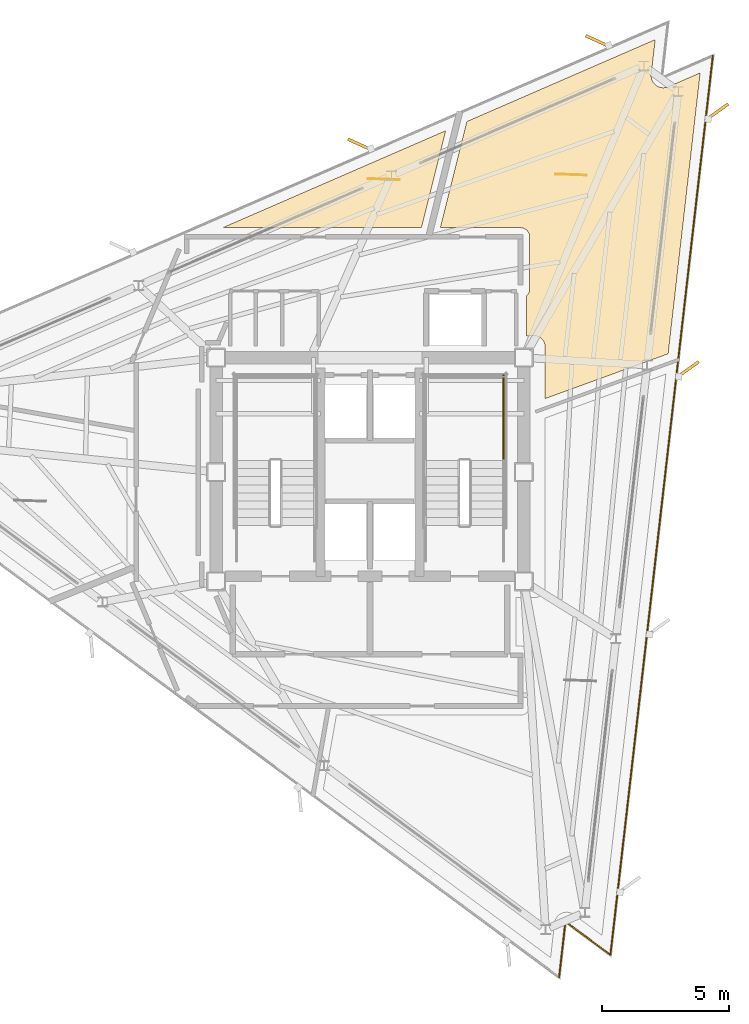
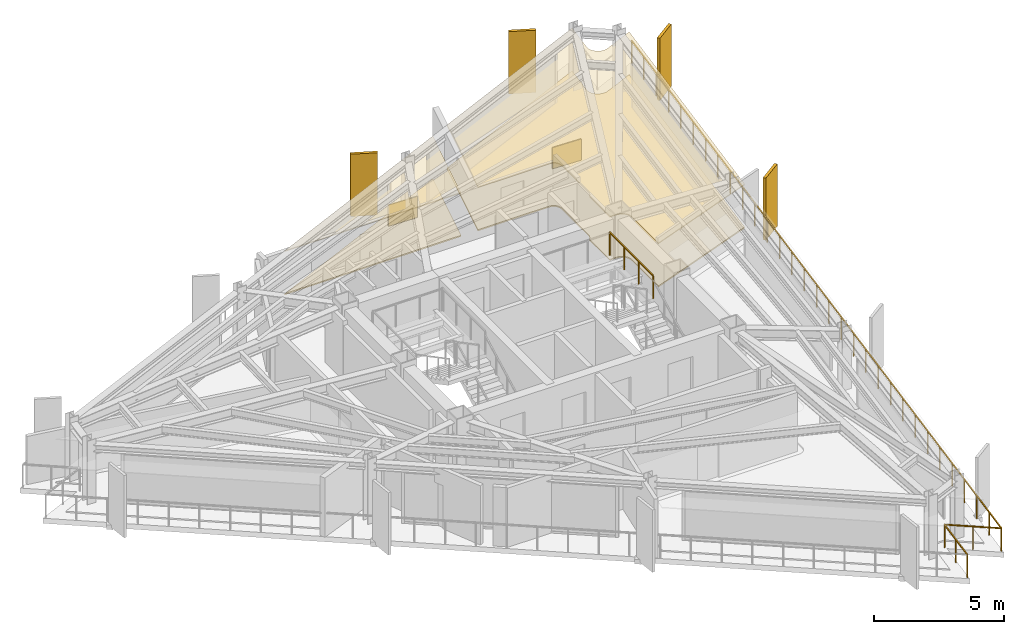
# One storey, part 10 of 10: 6 coverings, 4 shading devices, 2 railings.
"""IFC4 building model written with IfcOpenShell, lengths in metres."""

import ifcopenshell
import ifcopenshell.guid

model = None  # the IFC model being written
_history = None  # IfcOwnerHistory: only IFC2X3 demands one
_inside = {}  # id of a spatial element -> (the spatial element, [elements in it])
_under = {}  # id of a project, library or spatial element -> (it, [spatial elements below it])
_declared = {}  # id of a project -> (the project, [libraries it declares])
_typed = {}  # id of a type object -> (the type object, [elements of that type])
_made_of = {}  # id of a material, layer set ... -> (it, [elements and type objects made of it])


def new_model(schema):
    """Start an empty IFC model of exactly this schema.

    Asked for "IFC4X3", IfcOpenShell would pick the latest addendum, in which some entities
    have other attributes; the version numbers below select the first issue.
    IFC2X3 requires an IfcOwnerHistory on every rooted entity: one is made here for all.
    """
    global model, _history
    if schema == "IFC4X3":
        model = ifcopenshell.file(schema_version=(4, 3, 0, 0))
    else:
        model = ifcopenshell.file(schema=schema)
    _inside.clear()
    _under.clear()
    _declared.clear()
    _typed.clear()
    _made_of.clear()
    _history = None
    if model.schema == "IFC2X3":
        org = make("IfcOrganization", Name="unknown")
        user = make(
            "IfcPersonAndOrganization",
            ThePerson=make("IfcPerson", FamilyName="unknown"),
            TheOrganization=org,
        )
        app = make(
            "IfcApplication",
            ApplicationDeveloper=org,
            Version="unknown",
            ApplicationFullName="unknown",
            ApplicationIdentifier="unknown",
        )
        _history = make(
            "IfcOwnerHistory",
            OwningUser=user,
            OwningApplication=app,
            ChangeAction="ADDED",
            CreationDate=0,
        )
    return model


def make(cls, **values):
    """One entity of the class cls with the attributes given. An attribute that is None is left unset."""
    return model.create_entity(
        cls, **{name: value for name, value in values.items() if value is not None}
    )


def rooted(cls, **values):
    """An entity with a GlobalId (a new one), such as an element, a storey or a relation."""
    return make(cls, GlobalId=ifcopenshell.guid.new(), OwnerHistory=_history, **values)


def si_unit(unit_type, name, prefix=None):
    """IfcSIUnit, for example si_unit("LENGTHUNIT", "METRE", prefix="MILLI")."""
    return make("IfcSIUnit", UnitType=unit_type, Prefix=prefix, Name=name)


def assignment(units):
    """IfcUnitAssignment: the units of a project."""
    return None if units is None else make("IfcUnitAssignment", Units=units)


def point(xyz):
    """IfcCartesianPoint."""
    return None if xyz is None else make("IfcCartesianPoint", Coordinates=xyz)


def direction(xyz):
    """IfcDirection."""
    return None if xyz is None else make("IfcDirection", DirectionRatios=xyz)


def frame(location, z_axis=None, x_axis=None):
    """IfcAxis2Placement3D, a coordinate frame: its origin and axes. An axis left out is left unset."""
    return make(
        "IfcAxis2Placement3D",
        Location=point(location),
        Axis=direction(z_axis),
        RefDirection=direction(x_axis),
    )


def frame_2d(location, x_axis=None):
    """IfcAxis2Placement2D, a coordinate frame in the plane: its origin and x axis."""
    return make(
        "IfcAxis2Placement2D", Location=point(location), RefDirection=direction(x_axis)
    )


def origin():
    """The frame at (0, 0, 0) with its axes left unset."""
    return frame((0.0, 0.0, 0.0))


def origin_2d():
    """The frame at (0, 0) in the plane with its x axis left unset."""
    return frame_2d((0.0, 0.0))


def place(relative_to, where):
    """IfcLocalPlacement: puts the frame where relative to a parent placement (None: the world)."""
    return make(
        "IfcLocalPlacement", PlacementRelTo=relative_to, RelativePlacement=where
    )


def context(
    kind, dimensions, precision=None, world=None, true_north=None, identifier=None
):
    """IfcGeometricRepresentationContext, for example the 3D "Model" context."""
    return make(
        "IfcGeometricRepresentationContext",
        ContextIdentifier=identifier,
        ContextType=kind,
        CoordinateSpaceDimension=dimensions,
        Precision=precision,
        WorldCoordinateSystem=world,
        TrueNorth=true_north,
    )


def subcontext(parent, identifier, kind, view, scale=None):
    """IfcGeometricRepresentationSubContext, for example "Body" below "Model"."""
    return make(
        "IfcGeometricRepresentationSubContext",
        ContextIdentifier=identifier,
        ContextType=kind,
        ParentContext=parent,
        TargetScale=scale,
        TargetView=view,
    )


def project(units=None, contexts=None):
    """IfcProject with its units and contexts."""
    return rooted(
        "IfcProject",
        Name="project",
        RepresentationContexts=contexts,
        UnitsInContext=assignment(units),
    )


def spatial(cls, under=None, at=None, **own):
    """A site, building, storey or space (cls), placed at a placement, below another one or the project."""
    s = rooted(cls, ObjectPlacement=at, **own)
    if under is not None:
        _under.setdefault(under.id(), (under, []))[1].append(s)
    return s


def polyline(points):
    """IfcPolyline through the points."""
    return make("IfcPolyline", Points=[point(p) for p in points])


def profile(cls, at=None, kind="AREA", **sizes):
    """A parametric profile (cls). Its sizes go by their IFC names, for example OverallWidth=200.0."""
    return make(cls, ProfileType=kind, Position=at, **sizes)


def rectangle(**sizes):
    """IfcRectangleProfileDef."""
    return profile("IfcRectangleProfileDef", **sizes)


def outline(outer, holes=None, kind="AREA"):
    """IfcArbitraryClosedProfileDef: a profile drawn as a closed curve; with holes, ...WithVoids."""
    if holes is None:
        return make("IfcArbitraryClosedProfileDef", ProfileType=kind, OuterCurve=outer)
    return make(
        "IfcArbitraryProfileDefWithVoids",
        ProfileType=kind,
        OuterCurve=outer,
        InnerCurves=holes,
    )


def extrude(swept, where, along, depth):
    """IfcExtrudedAreaSolid: the profile swept, set in the frame where, extruded along a direction by depth."""
    return make(
        "IfcExtrudedAreaSolid",
        SweptArea=swept,
        Position=where,
        ExtrudedDirection=direction(along),
        Depth=depth,
    )


def shape(context_of_items, identifier, shape_type, items):
    """IfcShapeRepresentation: the items that make up one representation, for example the "Body"."""
    return make(
        "IfcShapeRepresentation",
        ContextOfItems=context_of_items,
        RepresentationIdentifier=identifier,
        RepresentationType=shape_type,
        Items=items,
    )


def material(Name=None, Category=None):
    """IfcMaterial."""
    return make("IfcMaterial", Name=Name, Category=Category)


def layer(
    of_material, thickness, ventilated=None, Name=None, Category=None, Priority=None
):
    """IfcMaterialLayer: one layer of a wall or slab, of a material (None: an air gap)."""
    return make(
        "IfcMaterialLayer",
        Material=of_material,
        LayerThickness=thickness,
        IsVentilated=ventilated,
        Name=Name,
        Category=Category,
        Priority=Priority,
    )


def layer_set(layers, Name=None):
    """IfcMaterialLayerSet."""
    return make("IfcMaterialLayerSet", MaterialLayers=layers, LayerSetName=Name)


def made_of(thing, what):
    """Note that an element or type object is made of a material, layer set ...; save() writes the relation."""
    if what is not None:
        _made_of.setdefault(what.id(), (what, []))[1].append(thing)
    return thing


def type_object(cls, material=None, **own):
    """A type object (cls), such as IfcWallType, which elements share."""
    return made_of(rooted(cls, **own), material)


def element(
    cls,
    number,
    at=None,
    inside=None,
    cuts=None,
    type_object=None,
    material=None,
    context=None,
    identifier="Body",
    shape_type=None,
    held_by="IfcProductDefinitionShape",
    body=None,
    shapes=None,
    **own,
):
    """One element of the class cls, such as IfcWall. Its Tag is "e" and its number.

    at: its placement. inside: the storey or other place that contains it. cuts: it is an
    opening in that element (IfcRelVoidsElement). A single representation is given by context,
    identifier, shape_type and body (its items); several are given by shapes. held_by: the class
    of the entity that holds the representations. save() writes the other relations.
    """
    e = rooted(cls, Tag="e%d" % number, ObjectPlacement=at, **own)
    if body is not None:
        shapes = [shape(context, identifier, shape_type, body)]
    if shapes is not None:
        e.Representation = make(held_by, Representations=shapes)
    if inside is not None:
        _inside.setdefault(inside.id(), (inside, []))[1].append(e)
    if cuts is not None:
        rooted(
            "IfcRelVoidsElement", RelatingBuildingElement=cuts, RelatedOpeningElement=e
        )
    if type_object is not None:
        _typed.setdefault(type_object.id(), (type_object, []))[1].append(e)
    return made_of(e, material)


def aggregate(whole, parts):
    """IfcRelAggregates: a whole, such as a stair, and the parts it consists of."""
    return rooted("IfcRelAggregates", RelatingObject=whole, RelatedObjects=parts)


def save(model, path):
    """Write the relations noted so far, then the file.

    IfcRelAggregates (storeys below a building ...), IfcRelContainedInSpatialStructure (elements
    in a storey), IfcRelDefinesByType, IfcRelAssociatesMaterial and IfcRelDeclares: one each for
    every whole, place, type object, material and project.
    """
    for whole, parts in _under.values():
        aggregate(whole, parts)
    for where, things in _inside.values():
        rooted(
            "IfcRelContainedInSpatialStructure",
            RelatedElements=things,
            RelatingStructure=where,
        )
    for kind, things in _typed.values():
        rooted("IfcRelDefinesByType", RelatedObjects=things, RelatingType=kind)
    for what, things in _made_of.values():
        rooted("IfcRelAssociatesMaterial", RelatedObjects=things, RelatingMaterial=what)
    for by, libraries in _declared.values():
        rooted("IfcRelDeclares", RelatingContext=by, RelatedDefinitions=libraries)
    model.write(path)


model = new_model("IFC4")

# Units and contexts
model_context = context("Model", 3, precision=1e-05, world=origin(), true_north=direction((0.0, 1.0)))
body_context = subcontext(model_context, "Body", "Model", "MODEL_VIEW")
ifc_project = project(units=[si_unit("LENGTHUNIT", "METRE"), si_unit("AREAUNIT", "SQUARE_METRE"), si_unit("VOLUMEUNIT", "CUBIC_METRE"), si_unit("PLANEANGLEUNIT", "RADIAN"), si_unit("MASSUNIT", "GRAM", prefix="KILO")], contexts=[model_context])

# Site, building, storey
site_placement = place(None, origin())
site = spatial("IfcSite", under=ifc_project, at=site_placement, CompositionType="ELEMENT")
building_placement = place(site_placement, origin())
building = spatial("IfcBuilding", under=site, at=building_placement, Name="Rocaltana Carrier Exchange", CompositionType="ELEMENT")
storey_placement = place(building_placement, frame((0.0, 0.0, 217.919921875)))
storey = spatial("IfcBuildingStorey", under=building, at=storey_placement, Name="L69", CompositionType="ELEMENT", Elevation=217.919921875)

# Coverings
ifc_material_1 = material(Name="Calcium Sulphate & Aluminium Pedestal", Category="aluminium")
ifc_layer_1 = layer(ifc_material_1, 0.06005859375)
ifc_layer_set_1 = layer_set([ifc_layer_1], Name="Calcium Sulphate & Aluminium Pedestal")
covering_type_1 = type_object("IfcCoveringType", Name="Anti-Static Raised Exchange Access Floor 60", PredefinedType="FLOORING", material=ifc_layer_set_1)
covering_1_placement = place(storey_placement, origin())
element("IfcCovering", 1, at=covering_1_placement, inside=storey, type_object=covering_type_1, Name="L69 Protocol Calibration Laboratory Finish Floor", PredefinedType="FLOORING", context=body_context, shape_type="SweptSolid", body=[
    extrude(outline(polyline([(6.159912109375, 6.931884765625), (6.16455078125, 6.93603515625), (6.18408203125, 6.955322265625), (6.189208984375, 6.961181640625), (6.206787109375, 6.982421875), (6.21142578125, 6.98876953125), (6.226806640625, 7.01171875), (6.230712890625, 7.018310546875), (6.24365234375, 7.04248046875), (6.2470703125, 7.0498046875), (6.257568359375, 7.0751953125), (6.26025390625, 7.08251953125), (6.268310546875, 7.108642578125), (6.27001953125, 7.116455078125), (6.275390625, 7.143310546875), (6.276611328125, 7.151123046875), (6.279296875, 7.178466796875), (6.27978515625, 7.186279296875), (6.280029296875, 7.199951171875), (6.280029296875, 9.25), (6.27978515625, 9.263671875), (6.279296875, 9.271484375), (6.276611328125, 9.298828125), (6.275390625, 9.306640625), (6.27001953125, 9.33349609375), (6.268310546875, 9.34130859375), (6.26025390625, 9.36767578125), (6.257568359375, 9.375), (6.2470703125, 9.400390625), (6.24365234375, 9.407470703125), (6.230712890625, 9.431640625), (6.226806640625, 9.4384765625), (6.21142578125, 9.461181640625), (6.206787109375, 9.467529296875), (6.189208984375, 9.48876953125), (6.18408203125, 9.49462890625), (6.16455078125, 9.513916015625), (6.15869140625, 9.519287109375), (6.137451171875, 9.53662109375), (6.131103515625, 9.54150390625), (6.1083984375, 9.556640625), (6.101806640625, 9.560791015625), (6.077392578125, 9.57373046875), (6.0703125, 9.576904296875), (6.044921875, 9.58740234375), (6.03759765625, 9.590087890625), (6.01123046875, 9.59814453125), (6.003662109375, 9.60009765625), (5.976806640625, 9.60546875), (5.968994140625, 9.606689453125), (5.941650390625, 9.609375), (5.93359375, 9.609619140625), (5.919921875, 9.610107421875), (2.76708984375, 9.610107421875), (3.80859375, 13.786865234375), (11.217041015625, 17.00830078125), (11.06201171875, 15.648193359375), (11.060791015625, 15.634521484375), (11.0595703125, 15.614501953125), (11.05908203125, 15.586669921875), (11.059814453125, 15.566650390625), (11.062255859375, 15.538818359375), (11.06494140625, 15.51904296875), (11.070068359375, 15.49169921875), (11.07470703125, 15.472412109375), (11.08251953125, 15.445556640625), (11.089111328125, 15.4267578125), (11.099609375, 15.40087890625), (11.10791015625, 15.3828125), (11.12109375, 15.358154296875), (11.131103515625, 15.3408203125), (11.146484375, 15.317626953125), (11.158447265625, 15.301513671875), (11.176025390625, 15.27978515625), (11.189453125, 15.26513671875), (11.209228515625, 15.245361328125), (11.223876953125, 15.23193359375), (11.24560546875, 15.21435546875), (11.261474609375, 15.202392578125), (11.284912109375, 15.18701171875), (11.302001953125, 15.1767578125), (11.32666015625, 15.163818359375), (11.344482421875, 15.1552734375), (11.37060546875, 15.144775390625), (11.389404296875, 15.13818359375), (11.416015625, 15.130126953125), (11.435302734375, 15.12548828125), (11.462890625, 15.1201171875), (11.482666015625, 15.117431640625), (11.510498046875, 15.114990234375), (11.5302734375, 15.1142578125), (11.55810546875, 15.114501953125), (11.578125, 15.11572265625), (11.60595703125, 15.118896484375), (11.62548828125, 15.1220703125), (11.65283203125, 15.1279296875), (11.672119140625, 15.133056640625), (11.69873046875, 15.1416015625), (11.71728515625, 15.148681640625), (11.730224609375, 15.15380859375), (12.985595703125, 15.699462890625), (11.726806640625, 4.6513671875), (6.889892578125, 2.890869140625), (6.889892578125, 4.919921875), (6.8896484375, 4.93359375), (6.888916015625, 4.949462890625), (6.88623046875, 4.976806640625), (6.8837890625, 4.9921875), (6.87841796875, 5.019287109375), (6.874755859375, 5.034423828125), (6.86669921875, 5.060791015625), (6.861572265625, 5.07568359375), (6.850830078125, 5.100830078125), (6.84423828125, 5.114990234375), (6.831298828125, 5.139404296875), (6.8232421875, 5.15283203125), (6.807861328125, 5.17578125), (6.798583984375, 5.188232421875), (6.781005859375, 5.20947265625), (6.7705078125, 5.22119140625), (6.751220703125, 5.240478515625), (6.739501953125, 5.251220703125), (6.71826171875, 5.2685546875), (6.705810546875, 5.27783203125), (6.682861328125, 5.293212890625), (6.66943359375, 5.30126953125), (6.64501953125, 5.314208984375), (6.630859375, 5.32080078125), (6.605712890625, 5.33154296875), (6.5908203125, 5.336669921875), (6.564453125, 5.3447265625), (6.54931640625, 5.348388671875), (6.522216796875, 5.35400390625), (6.5068359375, 5.356201171875), (6.4794921875, 5.35888671875), (6.463623046875, 5.359619140625), (6.449951171875, 5.360107421875), (6.159912109375, 5.360107421875), (6.159912109375, 6.931884765625)])), origin(), (0.0, 0.0, 1.0), 0.06005859375),
])
covering_2_placement = place(storey_placement, origin())
element("IfcCovering", 2, at=covering_2_placement, inside=storey, type_object=covering_type_1, Name="L69 Network Engineering Studio Finish Floor", PredefinedType="FLOORING", context=body_context, shape_type="SweptSolid", body=[
    extrude(outline(polyline([(-5.797607421875, 9.610107421875), (2.976318359375, 13.425048828125), (2.02490234375, 9.610107421875), (-5.797607421875, 9.610107421875)])), origin(), (0.0, 0.0, 1.0), 0.06005859375),
])
ifc_material_2 = material(Name="Mineral Fibre & Powder-Coated Aluminium", Category="aluminium")
ifc_layer_2 = layer(ifc_material_2, 0.044921875)
ifc_layer_set_2 = layer_set([ifc_layer_2], Name="Mineral Fibre & Powder-Coated Aluminium")
covering_type_2 = type_object("IfcCoveringType", Name="Micro-Perforated Acoustic Ceiling 45", PredefinedType="CEILING", material=ifc_layer_set_2)
covering_3_placement = place(storey_placement, frame((0.0, 0.0, 2.023193359375)))
element("IfcCovering", 3, at=covering_3_placement, inside=storey, type_object=covering_type_2, Name="L69 Protocol Calibration Laboratory Acoustic Ceiling", PredefinedType="CEILING", context=body_context, shape_type="SweptSolid", body=[
    extrude(outline(polyline([(6.159912109375, 6.931884765625), (6.16455078125, 6.93603515625), (6.18408203125, 6.955322265625), (6.189208984375, 6.961181640625), (6.206787109375, 6.982421875), (6.21142578125, 6.98876953125), (6.226806640625, 7.01171875), (6.230712890625, 7.018310546875), (6.24365234375, 7.04248046875), (6.2470703125, 7.0498046875), (6.257568359375, 7.0751953125), (6.26025390625, 7.08251953125), (6.268310546875, 7.108642578125), (6.27001953125, 7.116455078125), (6.275390625, 7.143310546875), (6.276611328125, 7.151123046875), (6.279296875, 7.178466796875), (6.27978515625, 7.186279296875), (6.280029296875, 7.199951171875), (6.280029296875, 9.25), (6.27978515625, 9.263671875), (6.279296875, 9.271484375), (6.276611328125, 9.298828125), (6.275390625, 9.306640625), (6.27001953125, 9.33349609375), (6.268310546875, 9.34130859375), (6.26025390625, 9.36767578125), (6.257568359375, 9.375), (6.2470703125, 9.400390625), (6.24365234375, 9.407470703125), (6.230712890625, 9.431640625), (6.226806640625, 9.4384765625), (6.21142578125, 9.461181640625), (6.206787109375, 9.467529296875), (6.189208984375, 9.48876953125), (6.18408203125, 9.49462890625), (6.16455078125, 9.513916015625), (6.15869140625, 9.519287109375), (6.137451171875, 9.53662109375), (6.131103515625, 9.54150390625), (6.1083984375, 9.556640625), (6.101806640625, 9.560791015625), (6.077392578125, 9.57373046875), (6.0703125, 9.576904296875), (6.044921875, 9.58740234375), (6.03759765625, 9.590087890625), (6.01123046875, 9.59814453125), (6.003662109375, 9.60009765625), (5.976806640625, 9.60546875), (5.968994140625, 9.606689453125), (5.941650390625, 9.609375), (5.93359375, 9.609619140625), (5.919921875, 9.610107421875), (2.76708984375, 9.610107421875), (3.80859375, 13.786865234375), (11.217041015625, 17.00830078125), (11.06201171875, 15.648193359375), (11.060791015625, 15.634521484375), (11.0595703125, 15.614501953125), (11.05908203125, 15.586669921875), (11.059814453125, 15.566650390625), (11.062255859375, 15.538818359375), (11.06494140625, 15.51904296875), (11.070068359375, 15.49169921875), (11.07470703125, 15.472412109375), (11.08251953125, 15.445556640625), (11.089111328125, 15.4267578125), (11.099609375, 15.40087890625), (11.10791015625, 15.3828125), (11.12109375, 15.358154296875), (11.131103515625, 15.3408203125), (11.146484375, 15.317626953125), (11.158447265625, 15.301513671875), (11.176025390625, 15.27978515625), (11.189453125, 15.26513671875), (11.209228515625, 15.245361328125), (11.223876953125, 15.23193359375), (11.24560546875, 15.21435546875), (11.261474609375, 15.202392578125), (11.284912109375, 15.18701171875), (11.302001953125, 15.1767578125), (11.32666015625, 15.163818359375), (11.344482421875, 15.1552734375), (11.37060546875, 15.144775390625), (11.389404296875, 15.13818359375), (11.416015625, 15.130126953125), (11.435302734375, 15.12548828125), (11.462890625, 15.1201171875), (11.482666015625, 15.117431640625), (11.510498046875, 15.114990234375), (11.5302734375, 15.1142578125), (11.55810546875, 15.114501953125), (11.578125, 15.11572265625), (11.60595703125, 15.118896484375), (11.62548828125, 15.1220703125), (11.65283203125, 15.1279296875), (11.672119140625, 15.133056640625), (11.69873046875, 15.1416015625), (11.71728515625, 15.148681640625), (11.730224609375, 15.15380859375), (12.985595703125, 15.699462890625), (11.726806640625, 4.6513671875), (6.889892578125, 2.890869140625), (6.889892578125, 4.919921875), (6.8896484375, 4.93359375), (6.888916015625, 4.949462890625), (6.88623046875, 4.976806640625), (6.8837890625, 4.9921875), (6.87841796875, 5.019287109375), (6.874755859375, 5.034423828125), (6.86669921875, 5.060791015625), (6.861572265625, 5.07568359375), (6.850830078125, 5.100830078125), (6.84423828125, 5.114990234375), (6.831298828125, 5.139404296875), (6.8232421875, 5.15283203125), (6.807861328125, 5.17578125), (6.798583984375, 5.188232421875), (6.781005859375, 5.20947265625), (6.7705078125, 5.22119140625), (6.751220703125, 5.240478515625), (6.739501953125, 5.251220703125), (6.71826171875, 5.2685546875), (6.705810546875, 5.27783203125), (6.682861328125, 5.293212890625), (6.66943359375, 5.30126953125), (6.64501953125, 5.314208984375), (6.630859375, 5.32080078125), (6.605712890625, 5.33154296875), (6.5908203125, 5.336669921875), (6.564453125, 5.3447265625), (6.54931640625, 5.348388671875), (6.522216796875, 5.35400390625), (6.5068359375, 5.356201171875), (6.4794921875, 5.35888671875), (6.463623046875, 5.359619140625), (6.449951171875, 5.360107421875), (6.159912109375, 5.360107421875), (6.159912109375, 6.931884765625)])), origin(), (0.0, 0.0, 1.0), 0.044921875),
])
covering_4_placement = place(storey_placement, frame((0.0, 0.0, 2.023193359375)))
element("IfcCovering", 4, at=covering_4_placement, inside=storey, type_object=covering_type_2, Name="L69 Network Engineering Studio Acoustic Ceiling", PredefinedType="CEILING", context=body_context, shape_type="SweptSolid", body=[
    extrude(outline(polyline([(-5.797607421875, 9.610107421875), (2.976318359375, 13.425048828125), (2.02490234375, 9.610107421875), (-5.797607421875, 9.610107421875)])), origin(), (0.0, 0.0, 1.0), 0.044921875),
])

# Railing
ifc_material_3 = material(Name="Powder-Coated Aluminium 6063-T6", Category="aluminium")
ifc_layer_3 = layer(ifc_material_3, 0.048095703125)
ifc_layer_set_3 = layer_set([ifc_layer_3], Name="Powder-Coated Aluminium 6063-T6")
railing_type_1 = type_object("IfcRailingType", Name="Stair Well Guardrail 1100", PredefinedType="GUARDRAIL", material=ifc_layer_set_3)
railing_1_placement = place(storey_placement, frame((5.25, 0.4599609375, 1.52001953125)))
element("IfcRailing", 5, at=railing_1_placement, inside=storey, type_object=railing_type_1, Name="L69 ST-2 stair guard 3", PredefinedType="GUARDRAIL", context=body_context, shape_type="SweptSolid", body=[
    extrude(rectangle(XDim=0.048095703125, YDim=0.048095703125, at=origin_2d()), frame((0.0, 0.0, 1.076171875), z_axis=(0.0, 1.0, 0.0), x_axis=(-1.0, 0.0, 0.0)), (0.0, 0.0, 1.0), 3.340087890625),
    extrude(rectangle(XDim=0.0419921875, YDim=0.0419921875, at=origin_2d()), origin(), (0.0, 0.0, 1.0), 1.052001953125),
    extrude(rectangle(XDim=0.0419921875, YDim=0.0419921875, at=origin_2d()), frame((0.0, 1.11328125, 0.0)), (0.0, 0.0, 1.0), 1.052001953125),
    extrude(rectangle(XDim=0.0419921875, YDim=0.0419921875, at=origin_2d()), frame((0.0, 2.226806640625, 0.0)), (0.0, 0.0, 1.0), 1.052001953125),
    extrude(rectangle(XDim=0.0419921875, YDim=0.0419921875, at=origin_2d()), frame((0.0, 3.340087890625, 0.0)), (0.0, 0.0, 1.0), 1.052001953125),
])

# Coverings
ifc_material_4 = material(Name="Honed Piedra Muneca Sandstone", Category="masonry")
ifc_layer_4 = layer(ifc_material_4, 0.034912109375)
ifc_layer_set_4 = layer_set([ifc_layer_4], Name="Honed Piedra Muneca Sandstone")
covering_type_3 = type_object("IfcCoveringType", Name="Stone Facade Cladding 35", PredefinedType="CLADDING", material=ifc_layer_set_4)
for number, where, z_axis, x_axis, name in (
    (6, (7.90869140625, 11.698486328125, 0.0), (0.0, 0.0, 1.0), (-0.999390827019, 0.034899496703, 0.0), "L69 Stone Facade Cladding Panel 5"),
    (7, (0.544921875, 11.517578125, 0.0), (0.0, 0.0, 1.0), (-0.999390827019, 0.034899496703, 0.0), "L69 Stone Facade Cladding Panel 6"),
):
    element("IfcCovering", number, at=place(storey_placement, frame(where, z_axis=z_axis, x_axis=x_axis)), inside=storey, type_object=covering_type_3, Name=name, PredefinedType="CLADDING", context=body_context, shape_type="SweptSolid", body=[
        extrude(rectangle(XDim=1.25, YDim=0.034912109375, at=origin_2d()), origin(), (0.0, 0.0, 1.0), 1.050048828125),
    ])

# Shading devices
ifc_material_5 = material(Name="Honed Bogota Sandstone & Concrete C45/55", Category="masonry")
ifc_layer_5 = layer(ifc_material_5, 0.1201171875)
ifc_layer_set_5 = layer_set([ifc_layer_5], Name="Honed Bogota Sandstone & Concrete C45/55")
shading_device_type = type_object("IfcShadingDeviceType", Name="Upper Sandstone Shading Fin 1050x120", PredefinedType="USERDEFINED", material=ifc_layer_set_5)
for number, where, z_axis, x_axis, name in (
    (8, (12.502197265625, 4.03515625, -0.119873046875), (0.0, 0.0, 1.0), (0.814115518356, 0.580702955711, 0.0), "L69 Sandstone Vertical Fin F1-03"),
    (9, (13.656982421875, 14.169677734375, -0.119873046875), (0.0, 0.0, 1.0), (0.814115518356, 0.580702955711, 0.0), "L69 Sandstone Vertical Fin F1-04"),
    (10, (8.96240234375, 16.944091796875, -0.119873046875), (0.0, 0.0, 1.0), (-0.909961270877, 0.414693242656, 0.0), "L69 Sandstone Vertical Fin F2-01"),
    (11, (-0.3916015625, 12.876953125, -0.119873046875), (0.0, 0.0, 1.0), (-0.909961270877, 0.414693242656, 0.0), "L69 Sandstone Vertical Fin F2-02"),
):
    element("IfcShadingDevice", number, at=place(storey_placement, frame(where, z_axis=z_axis, x_axis=x_axis)), inside=storey, type_object=shading_device_type, Name=name, ObjectType="FIN", PredefinedType="USERDEFINED", context=body_context, shape_type="SweptSolid", body=[
        extrude(rectangle(XDim=1.050048828125, YDim=0.1201171875, at=origin_2d()), origin(), (0.0, 0.0, 1.0), 2.91796875),
    ])

# Railing
ifc_material_6 = material(Name="Powder-Coated Aluminium 6063-T6", Category="aluminium")
ifc_layer_6 = layer(ifc_material_6, 0.06005859375)
ifc_layer_set_6 = layer_set([ifc_layer_6], Name="Powder-Coated Aluminium 6063-T6")
railing_type_2 = type_object("IfcRailingType", Name="Wind-Floor & Terrace Perimeter Guardrail 1100", PredefinedType="GUARDRAIL", material=ifc_layer_set_6)
railing_2_placement = place(storey_placement, frame((13.485107421875, 16.374755859375, 0.0)))
element("IfcRailing", 12, at=railing_2_placement, inside=storey, type_object=railing_type_2, Name="L69 Perimeter Balcony Guardrail 3", PredefinedType="GUARDRAIL", context=body_context, shape_type="SweptSolid", body=[
    extrude(rectangle(XDim=0.048095703125, YDim=0.048095703125, at=origin_2d()), frame((0.0, 0.0, 1.076171875), z_axis=(-0.113200877656, -0.99357212184, 0.0), x_axis=(0.99357212184, -0.113200877656, 0.0)), (0.0, 0.0, 1.0), 35.592041015625),
    extrude(rectangle(XDim=0.048095703125, YDim=0.048095703125, at=origin_2d()), frame((-4.029052734375, -35.36328125, 1.076171875), z_axis=(-0.803871612758, 0.59480284986, 0.0), x_axis=(-0.59480284986, -0.803871612758, 0.0)), (0.0, 0.0, 1.0), 2.199951171875),
    extrude(rectangle(XDim=0.048095703125, YDim=0.048095703125, at=origin_2d()), frame((-5.797607421875, -34.0546875, 1.076171875), z_axis=(-0.113183557839, -0.99357409499, 0.0), x_axis=(0.99357409499, -0.113183557839, 0.0)), (0.0, 0.0, 1.0), 2.2001953125),
    extrude(rectangle(XDim=0.0419921875, YDim=0.0419921875, at=origin_2d()), origin(), (0.0, 0.0, 1.0), 1.052001953125),
    extrude(rectangle(XDim=0.0419921875, YDim=0.0419921875, at=origin_2d()), frame((-0.13427734375, -1.1787109375, 0.0)), (0.0, 0.0, 1.0), 1.052001953125),
    extrude(rectangle(XDim=0.0419921875, YDim=0.0419921875, at=origin_2d()), frame((-0.2685546875, -2.357666015625, 0.0)), (0.0, 0.0, 1.0), 1.052001953125),
    extrude(rectangle(XDim=0.0419921875, YDim=0.0419921875, at=origin_2d()), frame((-0.40283203125, -3.536376953125, 0.0)), (0.0, 0.0, 1.0), 1.052001953125),
    extrude(rectangle(XDim=0.0419921875, YDim=0.0419921875, at=origin_2d()), frame((-0.537109375, -4.715087890625, 0.0)), (0.0, 0.0, 1.0), 1.052001953125),
    extrude(rectangle(XDim=0.0419921875, YDim=0.0419921875, at=origin_2d()), frame((-0.67138671875, -5.893798828125, 0.0)), (0.0, 0.0, 1.0), 1.052001953125),
    extrude(rectangle(XDim=0.0419921875, YDim=0.0419921875, at=origin_2d()), frame((-0.805908203125, -7.07275390625, 0.0)), (0.0, 0.0, 1.0), 1.052001953125),
    extrude(rectangle(XDim=0.0419921875, YDim=0.0419921875, at=origin_2d()), frame((-0.940185546875, -8.25146484375, 0.0)), (0.0, 0.0, 1.0), 1.052001953125),
    extrude(rectangle(XDim=0.0419921875, YDim=0.0419921875, at=origin_2d()), frame((-1.074462890625, -9.43017578125, 0.0)), (0.0, 0.0, 1.0), 1.052001953125),
    extrude(rectangle(XDim=0.0419921875, YDim=0.0419921875, at=origin_2d()), frame((-1.208740234375, -10.60888671875, 0.0)), (0.0, 0.0, 1.0), 1.052001953125),
    extrude(rectangle(XDim=0.0419921875, YDim=0.0419921875, at=origin_2d()), frame((-1.343017578125, -11.787841796875, 0.0)), (0.0, 0.0, 1.0), 1.052001953125),
    extrude(rectangle(XDim=0.0419921875, YDim=0.0419921875, at=origin_2d()), frame((-1.477294921875, -12.966552734375, 0.0)), (0.0, 0.0, 1.0), 1.052001953125),
    extrude(rectangle(XDim=0.0419921875, YDim=0.0419921875, at=origin_2d()), frame((-1.611572265625, -14.145263671875, 0.0)), (0.0, 0.0, 1.0), 1.052001953125),
    extrude(rectangle(XDim=0.0419921875, YDim=0.0419921875, at=origin_2d()), frame((-1.745849609375, -15.323974609375, 0.0)), (0.0, 0.0, 1.0), 1.052001953125),
    extrude(rectangle(XDim=0.0419921875, YDim=0.0419921875, at=origin_2d()), frame((-1.880126953125, -16.5029296875, 0.0)), (0.0, 0.0, 1.0), 1.052001953125),
    extrude(rectangle(XDim=0.0419921875, YDim=0.0419921875, at=origin_2d()), frame((-2.0146484375, -17.681640625, 0.0)), (0.0, 0.0, 1.0), 1.052001953125),
    extrude(rectangle(XDim=0.0419921875, YDim=0.0419921875, at=origin_2d()), frame((-2.14892578125, -18.8603515625, 0.0)), (0.0, 0.0, 1.0), 1.052001953125),
    extrude(rectangle(XDim=0.0419921875, YDim=0.0419921875, at=origin_2d()), frame((-2.283203125, -20.039306640625, 0.0)), (0.0, 0.0, 1.0), 1.052001953125),
    extrude(rectangle(XDim=0.0419921875, YDim=0.0419921875, at=origin_2d()), frame((-2.41748046875, -21.218017578125, 0.0)), (0.0, 0.0, 1.0), 1.052001953125),
    extrude(rectangle(XDim=0.0419921875, YDim=0.0419921875, at=origin_2d()), frame((-2.5517578125, -22.396728515625, 0.0)), (0.0, 0.0, 1.0), 1.052001953125),
    extrude(rectangle(XDim=0.0419921875, YDim=0.0419921875, at=origin_2d()), frame((-2.68603515625, -23.575439453125, 0.0)), (0.0, 0.0, 1.0), 1.052001953125),
    extrude(rectangle(XDim=0.0419921875, YDim=0.0419921875, at=origin_2d()), frame((-2.8203125, -24.75439453125, 0.0)), (0.0, 0.0, 1.0), 1.052001953125),
    extrude(rectangle(XDim=0.0419921875, YDim=0.0419921875, at=origin_2d()), frame((-2.95458984375, -25.93310546875, 0.0)), (0.0, 0.0, 1.0), 1.052001953125),
    extrude(rectangle(XDim=0.0419921875, YDim=0.0419921875, at=origin_2d()), frame((-3.0888671875, -27.11181640625, 0.0)), (0.0, 0.0, 1.0), 1.052001953125),
    extrude(rectangle(XDim=0.0419921875, YDim=0.0419921875, at=origin_2d()), frame((-3.22314453125, -28.29052734375, 0.0)), (0.0, 0.0, 1.0), 1.052001953125),
    extrude(rectangle(XDim=0.0419921875, YDim=0.0419921875, at=origin_2d()), frame((-3.357421875, -29.469482421875, 0.0)), (0.0, 0.0, 1.0), 1.052001953125),
    extrude(rectangle(XDim=0.0419921875, YDim=0.0419921875, at=origin_2d()), frame((-3.491943359375, -30.648193359375, 0.0)), (0.0, 0.0, 1.0), 1.052001953125),
    extrude(rectangle(XDim=0.0419921875, YDim=0.0419921875, at=origin_2d()), frame((-3.626220703125, -31.826904296875, 0.0)), (0.0, 0.0, 1.0), 1.052001953125),
    extrude(rectangle(XDim=0.0419921875, YDim=0.0419921875, at=origin_2d()), frame((-3.760498046875, -33.005615234375, 0.0)), (0.0, 0.0, 1.0), 1.052001953125),
    extrude(rectangle(XDim=0.0419921875, YDim=0.0419921875, at=origin_2d()), frame((-3.894775390625, -34.1845703125, 0.0)), (0.0, 0.0, 1.0), 1.052001953125),
    extrude(rectangle(XDim=0.0419921875, YDim=0.0419921875, at=origin_2d()), frame((-4.029052734375, -35.36328125, 0.0)), (0.0, 0.0, 1.0), 1.052001953125),
    extrude(rectangle(XDim=0.0419921875, YDim=0.0419921875, at=origin_2d()), frame((-4.913330078125, -34.708984375, 0.0)), (0.0, 0.0, 1.0), 1.052001953125),
    extrude(rectangle(XDim=0.0419921875, YDim=0.0419921875, at=origin_2d()), frame((-5.797607421875, -34.0546875, 0.0)), (0.0, 0.0, 1.0), 1.052001953125),
    extrude(rectangle(XDim=0.0419921875, YDim=0.0419921875, at=origin_2d()), frame((-5.922119140625, -35.147705078125, 0.0)), (0.0, 0.0, 1.0), 1.052001953125),
    extrude(rectangle(XDim=0.0419921875, YDim=0.0419921875, at=origin_2d()), frame((-6.046630859375, -36.24072265625, 0.0)), (0.0, 0.0, 1.0), 1.052001953125),
])

save(model, "model.ifc")
